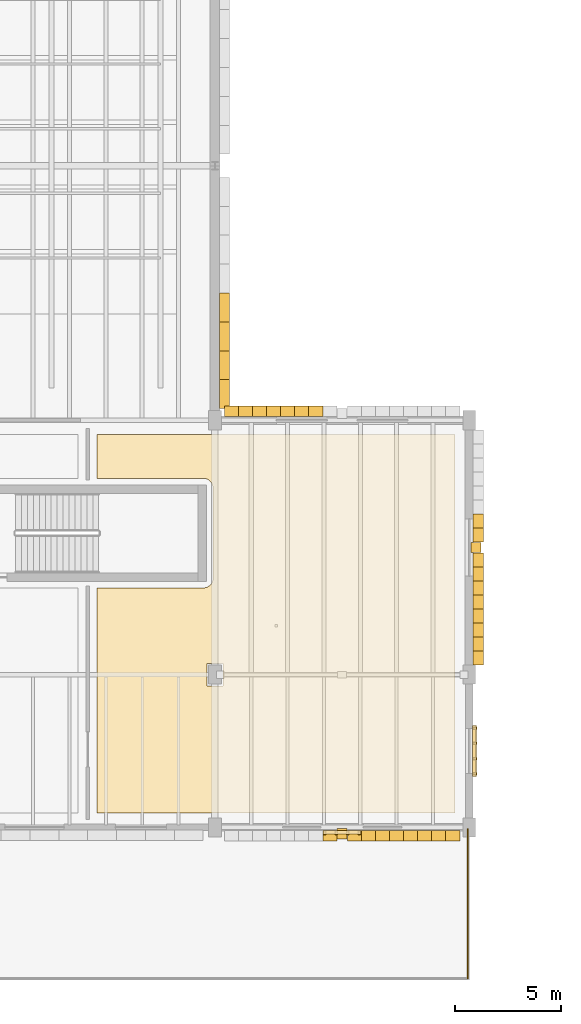
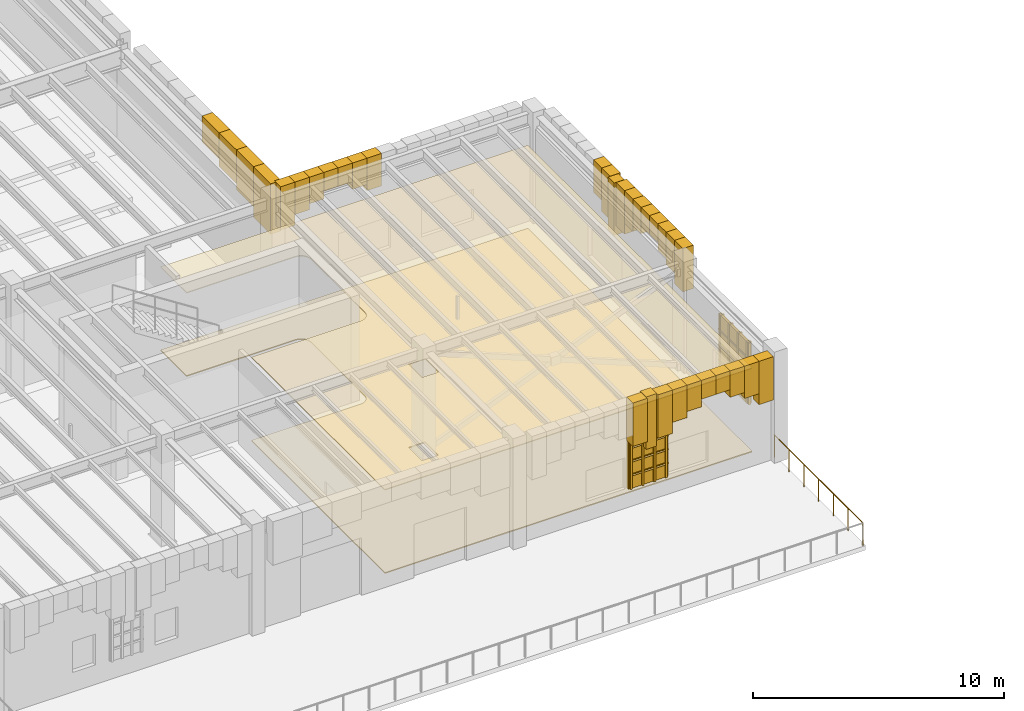
# One storey, part 72 of 103: 48 coverings, 2 shading devices, 1 railing.
"""IFC4 building model written with IfcOpenShell, lengths in metres."""

from ifc_helpers import new_model, si_unit, direction, frame, origin, origin_2d, place, context, subcontext, project, spatial, polyline, rectangle, circle, outline, extrude, material, layer, layer_set, type_object, element, save


model = new_model("IFC4")

# Units and contexts
model_context = context("Model", 3, precision=1e-05, world=origin(), true_north=direction((0.0, 1.0)))
body_context = subcontext(model_context, "Body", "Model", "MODEL_VIEW")
ifc_project = project(units=[si_unit("LENGTHUNIT", "METRE"), si_unit("AREAUNIT", "SQUARE_METRE"), si_unit("VOLUMEUNIT", "CUBIC_METRE"), si_unit("PLANEANGLEUNIT", "RADIAN"), si_unit("MASSUNIT", "GRAM", prefix="KILO")], contexts=[model_context])

# Site, building, storey
site_placement = place(None, origin())
site = spatial("IfcSite", under=ifc_project, at=site_placement, CompositionType="ELEMENT")
building_placement = place(site_placement, origin())
building = spatial("IfcBuilding", under=site, at=building_placement, Name="Zlatogorsky Bluff Art Gallery", CompositionType="ELEMENT")
storey_placement = place(building_placement, origin())
storey = spatial("IfcBuildingStorey", under=building, at=storey_placement, Name="L00", CompositionType="ELEMENT", Elevation=0.0)

# Coverings
ifc_material_1 = material(Name="Perforated Gypsum Acoustic Board", Category="gypsum")
ifc_layer_1 = layer(ifc_material_1, 0.0400390625)
ifc_layer_set_1 = layer_set([ifc_layer_1], Name="Acoustic Gallery Ceiling CLG-01")
covering_type_1 = type_object("IfcCoveringType", Name="Acoustic Gallery Ceiling CLG-01", PredefinedType="CEILING", material=ifc_layer_set_1)
covering_1_placement = place(storey_placement, frame((0.0, 0.0, 4.050048828125)))
element("IfcCovering", 1, at=covering_1_placement, inside=storey, type_object=covering_type_1, Name="Learning Centre Studios acoustic ceiling", PredefinedType="CEILING", context=body_context, shape_type="SweptSolid", body=[
    extrude(outline(polyline([(35.330078125, 7.8701171875), (18.449951171875, 7.8701171875), (18.449951171875, 18.489990234375), (23.450927734375, 18.489990234375), (23.495361328125, 18.4921875), (23.539306640625, 18.498779296875), (23.540283203125, 18.498779296875), (23.549560546875, 18.5009765625), (23.550537109375, 18.501220703125), (23.59375, 18.512939453125), (23.6357421875, 18.529296875), (23.63671875, 18.529541015625), (23.637451171875, 18.530029296875), (23.673095703125, 18.5478515625), (23.674072265625, 18.54833984375), (23.706298828125, 18.568115234375), (23.73681640625, 18.59033203125), (23.73828125, 18.591552734375), (23.775390625, 18.624755859375), (23.80859375, 18.661865234375), (23.809814453125, 18.663330078125), (23.83203125, 18.693603515625), (23.851806640625, 18.725830078125), (23.852294921875, 18.726806640625), (23.8701171875, 18.762451171875), (23.870849609375, 18.764404296875), (23.886962890625, 18.80615234375), (23.89892578125, 18.849609375), (23.899169921875, 18.850341796875), (23.901123046875, 18.859619140625), (23.9013671875, 18.860595703125), (23.90771484375, 18.90478515625), (23.909912109375, 18.948974609375), (23.909912109375, 23.200927734375), (23.90771484375, 23.245361328125), (23.9013671875, 23.289306640625), (23.901123046875, 23.290283203125), (23.899169921875, 23.299560546875), (23.89892578125, 23.300537109375), (23.886962890625, 23.34375), (23.870849609375, 23.3857421875), (23.870361328125, 23.38671875), (23.8701171875, 23.387451171875), (23.852294921875, 23.423095703125), (23.851806640625, 23.424072265625), (23.83203125, 23.456298828125), (23.809814453125, 23.48681640625), (23.80859375, 23.48828125), (23.775390625, 23.525390625), (23.73828125, 23.55859375), (23.73681640625, 23.559814453125), (23.706298828125, 23.58203125), (23.674072265625, 23.601806640625), (23.673095703125, 23.602294921875), (23.637451171875, 23.6201171875), (23.63671875, 23.620361328125), (23.6357421875, 23.620849609375), (23.59375, 23.636962890625), (23.550537109375, 23.64892578125), (23.549560546875, 23.649169921875), (23.540283203125, 23.651123046875), (23.539306640625, 23.6513671875), (23.495361328125, 23.65771484375), (23.450927734375, 23.659912109375), (18.449951171875, 23.659912109375), (18.449951171875, 25.72998046875), (35.330078125, 25.72998046875), (35.330078125, 7.8701171875)]), holes=[polyline([(23.6201171875, 13.8701171875), (24.3798828125, 13.8701171875), (24.3798828125, 14.929931640625), (23.6201171875, 14.929931640625), (23.6201171875, 13.8701171875)])]), origin(), (0.0, 0.0, 1.0), 0.0400390625),
])
ifc_material_2 = material(Name="Honed Red Agra-Tone Quartzitic Sandstone", Category="masonry")
ifc_layer_2 = layer(ifc_material_2, 0.1201171875)
ifc_layer_set_2 = layer_set([ifc_layer_2], Name="Carved Sandstone Cladding CLD-02")
covering_type_2 = type_object("IfcCoveringType", Name="Carved Sandstone Cladding CLD-02", PredefinedType="CLADDING", material=ifc_layer_set_2)
covering_2_placement = place(storey_placement, frame((0.0, 0.0, 2.90234375)))
element("IfcCovering", 2, at=covering_2_placement, inside=storey, type_object=covering_type_2, Name="Pointed Mughal arch voussoir spandrel WARCH-L00-E-01-03-A.1", PredefinedType="CLADDING", context=body_context, shape_type="SweptSolid", body=[
    extrude(outline(polyline([(24.2099609375, 26.949951171875), (24.2099609375, 28.3125), (24.699951171875, 28.3125), (24.699951171875, 26.949951171875), (24.2099609375, 26.949951171875)])), origin(), (0.0, 0.0, 1.0), 2.457763671875),
])
covering_3_placement = place(storey_placement, frame((0.0, 0.0, 3.433837890625)))
element("IfcCovering", 3, at=covering_3_placement, inside=storey, type_object=covering_type_2, Name="Pointed Mughal arch voussoir spandrel WARCH-L00-E-01-03-A.2", PredefinedType="CLADDING", context=body_context, shape_type="SweptSolid", body=[
    extrude(outline(polyline([(24.2099609375, 28.3125), (24.2099609375, 29.675048828125), (24.699951171875, 29.675048828125), (24.699951171875, 28.3125), (24.2099609375, 28.3125)])), origin(), (0.0, 0.0, 1.0), 1.92626953125),
])
covering_4_placement = place(storey_placement, frame((0.0, 0.0, 3.726806640625)))
element("IfcCovering", 4, at=covering_4_placement, inside=storey, type_object=covering_type_2, Name="Pointed Mughal arch voussoir spandrel WARCH-L00-E-01-03-A.3", PredefinedType="CLADDING", context=body_context, shape_type="SweptSolid", body=[
    extrude(outline(polyline([(24.2099609375, 29.675048828125), (24.2099609375, 31.03759765625), (24.699951171875, 31.03759765625), (24.699951171875, 29.675048828125), (24.2099609375, 29.675048828125)])), origin(), (0.0, 0.0, 1.0), 1.63330078125),
])
covering_5_placement = place(storey_placement, frame((0.0, 0.0, 4.095458984375)))
element("IfcCovering", 5, at=covering_5_placement, inside=storey, type_object=covering_type_2, Name="Pointed Mughal arch voussoir spandrel WARCH-L00-E-01-03-A.4", PredefinedType="CLADDING", context=body_context, shape_type="SweptSolid", body=[
    extrude(outline(polyline([(24.2099609375, 31.03759765625), (24.2099609375, 32.39990234375), (24.699951171875, 32.39990234375), (24.699951171875, 31.03759765625), (24.2099609375, 31.03759765625)])), origin(), (0.0, 0.0, 1.0), 1.2646484375),
])
covering_6_placement = place(storey_placement, frame((0.0, 0.0, 2.81005859375)))
element("IfcCovering", 6, at=covering_6_placement, inside=storey, type_object=covering_type_2, Name="Mughal blind-arch sandstone pilaster L00.S.2.1", PredefinedType="CLADDING", context=body_context, shape_type="SweptSolid", body=[
    extrude(outline(polyline([(29.760009765625, 6.659912109375), (30.239990234375, 6.659912109375), (30.239990234375, 7.139892578125), (29.760009765625, 7.139892578125), (29.760009765625, 6.659912109375)])), origin(), (0.0, 0.0, 1.0), 2.550048828125),
])
covering_7_placement = place(storey_placement, frame((0.0, 0.0, 3.25244140625)))
element("IfcCovering", 7, at=covering_7_placement, inside=storey, type_object=covering_type_2, Name="Pointed Mughal arch voussoir spandrel WARCH-L00-S-02-01-A.8", PredefinedType="CLADDING", context=body_context, shape_type="SweptSolid", body=[
    extrude(outline(polyline([(29.08740234375, 6.56005859375), (29.75, 6.56005859375), (29.75, 7.050048828125), (29.08740234375, 7.050048828125), (29.08740234375, 6.56005859375)])), origin(), (0.0, 0.0, 1.0), 2.107666015625),
])
covering_8_placement = place(storey_placement, frame((0.0, 0.0, 3.25244140625)))
element("IfcCovering", 8, at=covering_8_placement, inside=storey, type_object=covering_type_2, Name="Pointed Mughal arch voussoir spandrel WARCH-L00-S-02-01-B.1", PredefinedType="CLADDING", context=body_context, shape_type="SweptSolid", body=[
    extrude(outline(polyline([(30.25, 6.56005859375), (30.91259765625, 6.56005859375), (30.91259765625, 7.050048828125), (30.25, 7.050048828125), (30.25, 6.56005859375)])), origin(), (0.0, 0.0, 1.0), 2.107666015625),
])
covering_9_placement = place(storey_placement, frame((0.0, 0.0, 3.78369140625)))
element("IfcCovering", 9, at=covering_9_placement, inside=storey, type_object=covering_type_2, Name="Pointed Mughal arch voussoir spandrel WARCH-L00-S-02-01-B.2", PredefinedType="CLADDING", context=body_context, shape_type="SweptSolid", body=[
    extrude(outline(polyline([(30.91259765625, 6.56005859375), (31.574951171875, 6.56005859375), (31.574951171875, 7.050048828125), (30.91259765625, 7.050048828125), (30.91259765625, 6.56005859375)])), origin(), (0.0, 0.0, 1.0), 1.576416015625),
])
covering_10_placement = place(storey_placement, frame((0.0, 0.0, 4.07666015625)))
element("IfcCovering", 10, at=covering_10_placement, inside=storey, type_object=covering_type_2, Name="Pointed Mughal arch voussoir spandrel WARCH-L00-S-02-01-B.3", PredefinedType="CLADDING", context=body_context, shape_type="SweptSolid", body=[
    extrude(outline(polyline([(31.574951171875, 6.56005859375), (32.237548828125, 6.56005859375), (32.237548828125, 7.050048828125), (31.574951171875, 7.050048828125), (31.574951171875, 6.56005859375)])), origin(), (0.0, 0.0, 1.0), 1.283447265625),
])
covering_11_placement = place(storey_placement, frame((0.0, 0.0, 4.4453125)))
element("IfcCovering", 11, at=covering_11_placement, inside=storey, type_object=covering_type_2, Name="Pointed Mughal arch voussoir spandrel WARCH-L00-S-02-01-B.4", PredefinedType="CLADDING", context=body_context, shape_type="SweptSolid", body=[
    extrude(outline(polyline([(32.237548828125, 6.56005859375), (32.89990234375, 6.56005859375), (32.89990234375, 7.050048828125), (32.237548828125, 7.050048828125), (32.237548828125, 6.56005859375)])), origin(), (0.0, 0.0, 1.0), 0.914794921875),
])
covering_12_placement = place(storey_placement, frame((0.0, 0.0, 4.4453125)))
element("IfcCovering", 12, at=covering_12_placement, inside=storey, type_object=covering_type_2, Name="Pointed Mughal arch voussoir spandrel WARCH-L00-S-02-01-B.5", PredefinedType="CLADDING", context=body_context, shape_type="SweptSolid", body=[
    extrude(outline(polyline([(32.89990234375, 6.56005859375), (33.5625, 6.56005859375), (33.5625, 7.050048828125), (32.89990234375, 7.050048828125), (32.89990234375, 6.56005859375)])), origin(), (0.0, 0.0, 1.0), 0.914794921875),
])
covering_13_placement = place(storey_placement, frame((0.0, 0.0, 4.07666015625)))
element("IfcCovering", 13, at=covering_13_placement, inside=storey, type_object=covering_type_2, Name="Pointed Mughal arch voussoir spandrel WARCH-L00-S-02-01-B.6", PredefinedType="CLADDING", context=body_context, shape_type="SweptSolid", body=[
    extrude(outline(polyline([(33.5625, 6.56005859375), (34.22509765625, 6.56005859375), (34.22509765625, 7.050048828125), (33.5625, 7.050048828125), (33.5625, 6.56005859375)])), origin(), (0.0, 0.0, 1.0), 1.283447265625),
])
covering_14_placement = place(storey_placement, frame((0.0, 0.0, 3.78369140625)))
element("IfcCovering", 14, at=covering_14_placement, inside=storey, type_object=covering_type_2, Name="Pointed Mughal arch voussoir spandrel WARCH-L00-S-02-01-B.7", PredefinedType="CLADDING", context=body_context, shape_type="SweptSolid", body=[
    extrude(outline(polyline([(34.22509765625, 6.56005859375), (34.887451171875, 6.56005859375), (34.887451171875, 7.050048828125), (34.22509765625, 7.050048828125), (34.22509765625, 6.56005859375)])), origin(), (0.0, 0.0, 1.0), 1.576416015625),
])
covering_15_placement = place(storey_placement, frame((0.0, 0.0, 3.25244140625)))
element("IfcCovering", 15, at=covering_15_placement, inside=storey, type_object=covering_type_2, Name="Pointed Mughal arch voussoir spandrel WARCH-L00-S-02-01-B.8", PredefinedType="CLADDING", context=body_context, shape_type="SweptSolid", body=[
    extrude(outline(polyline([(34.887451171875, 6.56005859375), (35.550048828125, 6.56005859375), (35.550048828125, 7.050048828125), (34.887451171875, 7.050048828125), (34.887451171875, 6.56005859375)])), origin(), (0.0, 0.0, 1.0), 2.107666015625),
])
covering_16_placement = place(storey_placement, frame((0.0, 0.0, 0.949951171875)))
element("IfcCovering", 16, at=covering_16_placement, inside=storey, type_object=covering_type_2, Name="Pierced sandstone jali lattice bar L00.S.2.1", PredefinedType="CLADDING", context=body_context, shape_type="SweptSolid", body=[
    extrude(outline(polyline([(29.14501953125, 6.860107421875), (29.235107421875, 6.860107421875), (29.235107421875, 7.050048828125), (29.14501953125, 7.050048828125), (29.14501953125, 6.860107421875)])), origin(), (0.0, 0.0, 1.0), 2.699951171875),
])
covering_17_placement = place(storey_placement, frame((0.0, 0.0, 0.949951171875)))
element("IfcCovering", 17, at=covering_17_placement, inside=storey, type_object=covering_type_2, Name="Pierced sandstone jali lattice bar L00.S.2.1", PredefinedType="CLADDING", context=body_context, shape_type="SweptSolid", body=[
    extrude(outline(polyline([(29.68505859375, 6.860107421875), (29.77490234375, 6.860107421875), (29.77490234375, 7.050048828125), (29.68505859375, 7.050048828125), (29.68505859375, 6.860107421875)])), origin(), (0.0, 0.0, 1.0), 2.699951171875),
])
covering_18_placement = place(storey_placement, frame((0.0, 0.0, 0.949951171875)))
element("IfcCovering", 18, at=covering_18_placement, inside=storey, type_object=covering_type_2, Name="Pierced sandstone jali lattice bar L00.S.2.1", PredefinedType="CLADDING", context=body_context, shape_type="SweptSolid", body=[
    extrude(outline(polyline([(30.22509765625, 6.860107421875), (30.31494140625, 6.860107421875), (30.31494140625, 7.050048828125), (30.22509765625, 7.050048828125), (30.22509765625, 6.860107421875)])), origin(), (0.0, 0.0, 1.0), 2.699951171875),
])
covering_19_placement = place(storey_placement, frame((0.0, 0.0, 0.949951171875)))
element("IfcCovering", 19, at=covering_19_placement, inside=storey, type_object=covering_type_2, Name="Pierced sandstone jali lattice bar L00.S.2.1", PredefinedType="CLADDING", context=body_context, shape_type="SweptSolid", body=[
    extrude(outline(polyline([(30.764892578125, 6.860107421875), (30.85498046875, 6.860107421875), (30.85498046875, 7.050048828125), (30.764892578125, 7.050048828125), (30.764892578125, 6.860107421875)])), origin(), (0.0, 0.0, 1.0), 2.699951171875),
])
for number, where, name in (
    (20, (0.0, 0.0, 1.5849609375), "Pierced sandstone jali lattice transom L00.S.2.1"),
    (21, (0.0, 0.0, 2.260009765625), "Pierced sandstone jali lattice transom L00.S.2.1"),
):
    element("IfcCovering", number, at=place(storey_placement, frame(where)), inside=storey, type_object=covering_type_2, Name=name, PredefinedType="CLADDING", context=body_context, shape_type="SweptSolid", body=[
        extrude(outline(polyline([(29.10009765625, 6.860107421875), (30.89990234375, 6.860107421875), (30.89990234375, 7.050048828125), (29.10009765625, 7.050048828125), (29.10009765625, 6.860107421875)])), origin(), (0.0, 0.0, 1.0), 0.080078125),
    ])
covering_20_placement = place(storey_placement, frame((0.0, 0.0, 2.93505859375)))
element("IfcCovering", 22, at=covering_20_placement, inside=storey, type_object=covering_type_2, Name="Pierced sandstone jali lattice transom L00.S.2.1", PredefinedType="CLADDING", context=body_context, shape_type="SweptSolid", body=[
    extrude(outline(polyline([(29.10009765625, 6.860107421875), (30.89990234375, 6.860107421875), (30.89990234375, 7.050048828125), (29.10009765625, 7.050048828125), (29.10009765625, 6.860107421875)])), origin(), (0.0, 0.0, 1.0), 0.079833984375),
])
covering_21_placement = place(storey_placement, frame((0.0, 0.0, 0.949951171875)))
element("IfcCovering", 23, at=covering_21_placement, inside=storey, type_object=covering_type_2, Name="Pierced sandstone jali lattice bar L00.E.2.1", PredefinedType="CLADDING", context=body_context, shape_type="SweptSolid", body=[
    extrude(outline(polyline([(36.14990234375, 9.675048828125), (36.14990234375, 9.764892578125), (36.340087890625, 9.764892578125), (36.340087890625, 9.675048828125), (36.14990234375, 9.675048828125)])), origin(), (0.0, 0.0, 1.0), 3.0),
])
covering_22_placement = place(storey_placement, frame((0.0, 0.0, 0.949951171875)))
element("IfcCovering", 24, at=covering_22_placement, inside=storey, type_object=covering_type_2, Name="Pierced sandstone jali lattice bar L00.E.2.1", PredefinedType="CLADDING", context=body_context, shape_type="SweptSolid", body=[
    extrude(outline(polyline([(36.14990234375, 10.39501953125), (36.14990234375, 10.485107421875), (36.340087890625, 10.485107421875), (36.340087890625, 10.39501953125), (36.14990234375, 10.39501953125)])), origin(), (0.0, 0.0, 1.0), 3.0),
])
covering_23_placement = place(storey_placement, frame((0.0, 0.0, 0.949951171875)))
element("IfcCovering", 25, at=covering_23_placement, inside=storey, type_object=covering_type_2, Name="Pierced sandstone jali lattice bar L00.E.2.1", PredefinedType="CLADDING", context=body_context, shape_type="SweptSolid", body=[
    extrude(outline(polyline([(36.14990234375, 11.114990234375), (36.14990234375, 11.205078125), (36.340087890625, 11.205078125), (36.340087890625, 11.114990234375), (36.14990234375, 11.114990234375)])), origin(), (0.0, 0.0, 1.0), 3.0),
])
covering_24_placement = place(storey_placement, frame((0.0, 0.0, 0.949951171875)))
element("IfcCovering", 26, at=covering_24_placement, inside=storey, type_object=covering_type_2, Name="Pierced sandstone jali lattice bar L00.E.2.1", PredefinedType="CLADDING", context=body_context, shape_type="SweptSolid", body=[
    extrude(outline(polyline([(36.14990234375, 11.8349609375), (36.14990234375, 11.925048828125), (36.340087890625, 11.925048828125), (36.340087890625, 11.8349609375), (36.14990234375, 11.8349609375)])), origin(), (0.0, 0.0, 1.0), 3.0),
])
for number, where, name in (
    (27, (0.0, 0.0, 1.659912109375), "Pierced sandstone jali lattice transom L00.E.2.1"),
    (28, (0.0, 0.0, 2.409912109375), "Pierced sandstone jali lattice transom L00.E.2.1"),
    (29, (0.0, 0.0, 3.159912109375), "Pierced sandstone jali lattice transom L00.E.2.1"),
):
    element("IfcCovering", number, at=place(storey_placement, frame(where)), inside=storey, type_object=covering_type_2, Name=name, PredefinedType="CLADDING", context=body_context, shape_type="SweptSolid", body=[
        extrude(outline(polyline([(36.14990234375, 9.60009765625), (36.14990234375, 12.0), (36.340087890625, 12.0), (36.340087890625, 9.60009765625), (36.14990234375, 9.60009765625)])), origin(), (0.0, 0.0, 1.0), 0.080078125),
    ])
covering_25_placement = place(storey_placement, frame((0.0, 0.0, 3.25244140625)))
element("IfcCovering", 30, at=covering_25_placement, inside=storey, type_object=covering_type_2, Name="Pointed Mughal arch voussoir spandrel WARCH-L00-N-02-02-A.1", PredefinedType="CLADDING", context=body_context, shape_type="SweptSolid", body=[
    extrude(outline(polyline([(24.449951171875, 26.570068359375), (25.112548828125, 26.570068359375), (25.112548828125, 27.06005859375), (24.449951171875, 27.06005859375), (24.449951171875, 26.570068359375)])), origin(), (0.0, 0.0, 1.0), 2.107666015625),
])
covering_26_placement = place(storey_placement, frame((0.0, 0.0, 3.78369140625)))
element("IfcCovering", 31, at=covering_26_placement, inside=storey, type_object=covering_type_2, Name="Pointed Mughal arch voussoir spandrel WARCH-L00-N-02-02-A.2", PredefinedType="CLADDING", context=body_context, shape_type="SweptSolid", body=[
    extrude(outline(polyline([(25.112548828125, 26.570068359375), (25.77490234375, 26.570068359375), (25.77490234375, 27.06005859375), (25.112548828125, 27.06005859375), (25.112548828125, 26.570068359375)])), origin(), (0.0, 0.0, 1.0), 1.576416015625),
])
covering_27_placement = place(storey_placement, frame((0.0, 0.0, 4.07666015625)))
element("IfcCovering", 32, at=covering_27_placement, inside=storey, type_object=covering_type_2, Name="Pointed Mughal arch voussoir spandrel WARCH-L00-N-02-02-A.3", PredefinedType="CLADDING", context=body_context, shape_type="SweptSolid", body=[
    extrude(outline(polyline([(25.77490234375, 26.570068359375), (26.4375, 26.570068359375), (26.4375, 27.06005859375), (25.77490234375, 27.06005859375), (25.77490234375, 26.570068359375)])), origin(), (0.0, 0.0, 1.0), 1.283447265625),
])
covering_28_placement = place(storey_placement, frame((0.0, 0.0, 4.4453125)))
element("IfcCovering", 33, at=covering_28_placement, inside=storey, type_object=covering_type_2, Name="Pointed Mughal arch voussoir spandrel WARCH-L00-N-02-02-A.4", PredefinedType="CLADDING", context=body_context, shape_type="SweptSolid", body=[
    extrude(outline(polyline([(26.4375, 26.570068359375), (27.10009765625, 26.570068359375), (27.10009765625, 27.06005859375), (26.4375, 27.06005859375), (26.4375, 26.570068359375)])), origin(), (0.0, 0.0, 1.0), 0.914794921875),
])
covering_29_placement = place(storey_placement, frame((0.0, 0.0, 4.4453125)))
element("IfcCovering", 34, at=covering_29_placement, inside=storey, type_object=covering_type_2, Name="Pointed Mughal arch voussoir spandrel WARCH-L00-N-02-02-A.5", PredefinedType="CLADDING", context=body_context, shape_type="SweptSolid", body=[
    extrude(outline(polyline([(27.10009765625, 26.570068359375), (27.762451171875, 26.570068359375), (27.762451171875, 27.06005859375), (27.10009765625, 27.06005859375), (27.10009765625, 26.570068359375)])), origin(), (0.0, 0.0, 1.0), 0.914794921875),
])
covering_30_placement = place(storey_placement, frame((0.0, 0.0, 4.07666015625)))
element("IfcCovering", 35, at=covering_30_placement, inside=storey, type_object=covering_type_2, Name="Pointed Mughal arch voussoir spandrel WARCH-L00-N-02-02-A.6", PredefinedType="CLADDING", context=body_context, shape_type="SweptSolid", body=[
    extrude(outline(polyline([(27.762451171875, 26.570068359375), (28.425048828125, 26.570068359375), (28.425048828125, 27.06005859375), (27.762451171875, 27.06005859375), (27.762451171875, 26.570068359375)])), origin(), (0.0, 0.0, 1.0), 1.283447265625),
])
covering_31_placement = place(storey_placement, frame((0.0, 0.0, 3.78369140625)))
element("IfcCovering", 36, at=covering_31_placement, inside=storey, type_object=covering_type_2, Name="Pointed Mughal arch voussoir spandrel WARCH-L00-N-02-02-A.7", PredefinedType="CLADDING", context=body_context, shape_type="SweptSolid", body=[
    extrude(outline(polyline([(28.425048828125, 26.570068359375), (29.08740234375, 26.570068359375), (29.08740234375, 27.06005859375), (28.425048828125, 27.06005859375), (28.425048828125, 26.570068359375)])), origin(), (0.0, 0.0, 1.0), 1.576416015625),
])
covering_32_placement = place(storey_placement, frame((0.0, 0.0, 2.81005859375)))
element("IfcCovering", 37, at=covering_32_placement, inside=storey, type_object=covering_type_2, Name="Mughal blind-arch sandstone pilaster L00.E.2.2", PredefinedType="CLADDING", context=body_context, shape_type="SweptSolid", body=[
    extrude(outline(polyline([(36.080078125, 20.159912109375), (36.56005859375, 20.159912109375), (36.56005859375, 20.639892578125), (36.080078125, 20.639892578125), (36.080078125, 20.159912109375)])), origin(), (0.0, 0.0, 1.0), 2.550048828125),
])
covering_33_placement = place(storey_placement, frame((0.0, 0.0, 3.25244140625)))
element("IfcCovering", 38, at=covering_33_placement, inside=storey, type_object=covering_type_2, Name="Pointed Mughal arch voussoir spandrel WARCH-L00-E-02-02-A.1", PredefinedType="CLADDING", context=body_context, shape_type="SweptSolid", body=[
    extrude(outline(polyline([(36.169921875, 14.85009765625), (36.169921875, 15.512451171875), (36.659912109375, 15.512451171875), (36.659912109375, 14.85009765625), (36.169921875, 14.85009765625)])), origin(), (0.0, 0.0, 1.0), 2.107666015625),
])
covering_34_placement = place(storey_placement, frame((0.0, 0.0, 3.78369140625)))
element("IfcCovering", 39, at=covering_34_placement, inside=storey, type_object=covering_type_2, Name="Pointed Mughal arch voussoir spandrel WARCH-L00-E-02-02-A.2", PredefinedType="CLADDING", context=body_context, shape_type="SweptSolid", body=[
    extrude(outline(polyline([(36.169921875, 15.512451171875), (36.169921875, 16.175048828125), (36.659912109375, 16.175048828125), (36.659912109375, 15.512451171875), (36.169921875, 15.512451171875)])), origin(), (0.0, 0.0, 1.0), 1.576416015625),
])
covering_35_placement = place(storey_placement, frame((0.0, 0.0, 4.07666015625)))
element("IfcCovering", 40, at=covering_35_placement, inside=storey, type_object=covering_type_2, Name="Pointed Mughal arch voussoir spandrel WARCH-L00-E-02-02-A.3", PredefinedType="CLADDING", context=body_context, shape_type="SweptSolid", body=[
    extrude(outline(polyline([(36.169921875, 16.175048828125), (36.169921875, 16.83740234375), (36.659912109375, 16.83740234375), (36.659912109375, 16.175048828125), (36.169921875, 16.175048828125)])), origin(), (0.0, 0.0, 1.0), 1.283447265625),
])
covering_36_placement = place(storey_placement, frame((0.0, 0.0, 4.4453125)))
element("IfcCovering", 41, at=covering_36_placement, inside=storey, type_object=covering_type_2, Name="Pointed Mughal arch voussoir spandrel WARCH-L00-E-02-02-A.4", PredefinedType="CLADDING", context=body_context, shape_type="SweptSolid", body=[
    extrude(outline(polyline([(36.169921875, 16.83740234375), (36.169921875, 17.5), (36.659912109375, 17.5), (36.659912109375, 16.83740234375), (36.169921875, 16.83740234375)])), origin(), (0.0, 0.0, 1.0), 0.914794921875),
])
covering_37_placement = place(storey_placement, frame((0.0, 0.0, 4.4453125)))
element("IfcCovering", 42, at=covering_37_placement, inside=storey, type_object=covering_type_2, Name="Pointed Mughal arch voussoir spandrel WARCH-L00-E-02-02-A.5", PredefinedType="CLADDING", context=body_context, shape_type="SweptSolid", body=[
    extrude(outline(polyline([(36.169921875, 17.5), (36.169921875, 18.16259765625), (36.659912109375, 18.16259765625), (36.659912109375, 17.5), (36.169921875, 17.5)])), origin(), (0.0, 0.0, 1.0), 0.914794921875),
])
covering_38_placement = place(storey_placement, frame((0.0, 0.0, 4.07666015625)))
element("IfcCovering", 43, at=covering_38_placement, inside=storey, type_object=covering_type_2, Name="Pointed Mughal arch voussoir spandrel WARCH-L00-E-02-02-A.6", PredefinedType="CLADDING", context=body_context, shape_type="SweptSolid", body=[
    extrude(outline(polyline([(36.169921875, 18.16259765625), (36.169921875, 18.824951171875), (36.659912109375, 18.824951171875), (36.659912109375, 18.16259765625), (36.169921875, 18.16259765625)])), origin(), (0.0, 0.0, 1.0), 1.283447265625),
])
covering_39_placement = place(storey_placement, frame((0.0, 0.0, 3.78369140625)))
element("IfcCovering", 44, at=covering_39_placement, inside=storey, type_object=covering_type_2, Name="Pointed Mughal arch voussoir spandrel WARCH-L00-E-02-02-A.7", PredefinedType="CLADDING", context=body_context, shape_type="SweptSolid", body=[
    extrude(outline(polyline([(36.169921875, 18.824951171875), (36.169921875, 19.487548828125), (36.659912109375, 19.487548828125), (36.659912109375, 18.824951171875), (36.169921875, 18.824951171875)])), origin(), (0.0, 0.0, 1.0), 1.576416015625),
])
covering_40_placement = place(storey_placement, frame((0.0, 0.0, 3.25244140625)))
element("IfcCovering", 45, at=covering_40_placement, inside=storey, type_object=covering_type_2, Name="Pointed Mughal arch voussoir spandrel WARCH-L00-E-02-02-A.8", PredefinedType="CLADDING", context=body_context, shape_type="SweptSolid", body=[
    extrude(outline(polyline([(36.169921875, 19.487548828125), (36.169921875, 20.14990234375), (36.659912109375, 20.14990234375), (36.659912109375, 19.487548828125), (36.169921875, 19.487548828125)])), origin(), (0.0, 0.0, 1.0), 2.107666015625),
])
covering_41_placement = place(storey_placement, frame((0.0, 0.0, 3.25244140625)))
element("IfcCovering", 46, at=covering_41_placement, inside=storey, type_object=covering_type_2, Name="Pointed Mughal arch voussoir spandrel WARCH-L00-E-02-02-B.1", PredefinedType="CLADDING", context=body_context, shape_type="SweptSolid", body=[
    extrude(outline(polyline([(36.169921875, 20.64990234375), (36.169921875, 21.3125), (36.659912109375, 21.3125), (36.659912109375, 20.64990234375), (36.169921875, 20.64990234375)])), origin(), (0.0, 0.0, 1.0), 2.107666015625),
])
covering_42_placement = place(storey_placement, frame((0.0, 0.0, 3.78369140625)))
element("IfcCovering", 47, at=covering_42_placement, inside=storey, type_object=covering_type_2, Name="Pointed Mughal arch voussoir spandrel WARCH-L00-E-02-02-B.2", PredefinedType="CLADDING", context=body_context, shape_type="SweptSolid", body=[
    extrude(outline(polyline([(36.169921875, 21.3125), (36.169921875, 21.97509765625), (36.659912109375, 21.97509765625), (36.659912109375, 21.3125), (36.169921875, 21.3125)])), origin(), (0.0, 0.0, 1.0), 1.576416015625),
])

# Railing
ifc_material_3 = material(Name="Architectural Bronze and Laminated Glass", Category="glass")
railing_type = type_object("IfcRailingType", Name="Gallery Guard Rail 1100mm", PredefinedType="GUARDRAIL", material=ifc_material_3)
railing_placement = place(storey_placement, frame((35.919921875, 7.1201171875, 0.0)))
element("IfcRailing", 48, at=railing_placement, inside=storey, type_object=railing_type, Name="Sculpture terrace balustrade TERR-L00-01.1", PredefinedType="GUARDRAIL", context=body_context, shape_type="SweptSolid", body=[
    extrude(circle(Radius=0.02392578125, at=origin_2d()), frame((0.0, 0.0, 1.076171875), z_axis=(0.0, -1.0, 0.0), x_axis=(1.0, 0.0, 0.0)), (0.0, 0.0, 1.0), 7.0400390625),
    extrude(circle(Radius=0.02099609375, at=origin_2d()), origin(), (0.0, 0.0, 1.0), 1.052001953125),
    extrude(circle(Radius=0.02099609375, at=origin_2d()), frame((0.0, -1.17333984375, 0.0)), (0.0, 0.0, 1.0), 1.052001953125),
    extrude(circle(Radius=0.02099609375, at=origin_2d()), frame((0.0, -2.3466796875, 0.0)), (0.0, 0.0, 1.0), 1.052001953125),
    extrude(circle(Radius=0.02099609375, at=origin_2d()), frame((0.0, -3.52001953125, 0.0)), (0.0, 0.0, 1.0), 1.052001953125),
    extrude(circle(Radius=0.02099609375, at=origin_2d()), frame((0.0, -4.693359375, 0.0)), (0.0, 0.0, 1.0), 1.052001953125),
    extrude(circle(Radius=0.02099609375, at=origin_2d()), frame((0.0, -5.86669921875, 0.0)), (0.0, 0.0, 1.0), 1.052001953125),
    extrude(circle(Radius=0.02099609375, at=origin_2d()), frame((0.0, -7.0400390625, 0.0)), (0.0, 0.0, 1.0), 1.052001953125),
])

# Shading devices
ifc_material_4 = material(Name="CNC-Pierced Red Quartzitic Sandstone Jali", Category="masonry")
shading_device_type_1 = type_object("IfcShadingDeviceType", Name="Pierced Stone Jali Screen JAL-02", PredefinedType="JALOUSIE", material=ifc_material_4)
shading_device_1_placement = place(storey_placement, frame((30.0, 6.97998046875, 0.9501953125), z_axis=(0.0, 0.0, 1.0), x_axis=(1.0, 0.0, 0.0)))
element("IfcShadingDevice", 49, at=shading_device_1_placement, inside=storey, type_object=shading_device_type_1, Name="Pierced stone jali screen JAL-02", PredefinedType="JALOUSIE", context=body_context, shape_type="SweptSolid", body=[
    extrude(rectangle(XDim=1.800048828125, YDim=0.1201171875, at=origin_2d()), origin(), (0.0, 0.0, 1.0), 2.699951171875),
])
shading_device_type_2 = type_object("IfcShadingDeviceType", Name="Pierced Stone Jali Screen JAL-03", PredefinedType="JALOUSIE", material=ifc_material_4)
shading_device_2_placement = place(storey_placement, frame((36.219970703125, 10.800048828125, 0.949951171875), z_axis=(0.0, 0.0, 1.0), x_axis=(1.0, 0.0, 0.0)))
element("IfcShadingDevice", 50, at=shading_device_2_placement, inside=storey, type_object=shading_device_type_2, Name="Pierced stone jali screen JAL-03", PredefinedType="JALOUSIE", context=body_context, shape_type="SweptSolid", body=[
    extrude(rectangle(XDim=0.1201171875, YDim=2.39990234375, at=origin_2d()), origin(), (0.0, 0.0, 1.0), 3.0),
])

# Covering
ifc_material_5 = material(Name="Polished Ural Marble Terrazzo", Category="masonry")
ifc_layer_3 = layer(ifc_material_5, 0.050048828125)
ifc_layer_set_3 = layer_set([ifc_layer_3], Name="Terrazzo Gallery Flooring FLR-01")
covering_type_3 = type_object("IfcCoveringType", Name="Terrazzo Gallery Flooring FLR-01", PredefinedType="FLOORING", material=ifc_layer_set_3)
covering_43_placement = place(storey_placement, origin())
element("IfcCovering", 51, at=covering_43_placement, inside=storey, type_object=covering_type_3, Name="Learning Centre Studios terrazzo floor finish", PredefinedType="FLOORING", context=body_context, shape_type="SweptSolid", body=[
    extrude(outline(polyline([(35.330078125, 7.8701171875), (18.449951171875, 7.8701171875), (18.449951171875, 18.489990234375), (23.450927734375, 18.489990234375), (23.495361328125, 18.4921875), (23.539306640625, 18.498779296875), (23.540283203125, 18.498779296875), (23.549560546875, 18.5009765625), (23.550537109375, 18.501220703125), (23.59375, 18.512939453125), (23.6357421875, 18.529296875), (23.63671875, 18.529541015625), (23.637451171875, 18.530029296875), (23.673095703125, 18.5478515625), (23.674072265625, 18.54833984375), (23.706298828125, 18.568115234375), (23.73681640625, 18.59033203125), (23.73828125, 18.591552734375), (23.775390625, 18.624755859375), (23.80859375, 18.661865234375), (23.809814453125, 18.663330078125), (23.83203125, 18.693603515625), (23.851806640625, 18.725830078125), (23.852294921875, 18.726806640625), (23.8701171875, 18.762451171875), (23.870849609375, 18.764404296875), (23.886962890625, 18.80615234375), (23.89892578125, 18.849609375), (23.899169921875, 18.850341796875), (23.901123046875, 18.859619140625), (23.9013671875, 18.860595703125), (23.90771484375, 18.90478515625), (23.909912109375, 18.948974609375), (23.909912109375, 23.200927734375), (23.90771484375, 23.245361328125), (23.9013671875, 23.289306640625), (23.901123046875, 23.290283203125), (23.899169921875, 23.299560546875), (23.89892578125, 23.300537109375), (23.886962890625, 23.34375), (23.870849609375, 23.3857421875), (23.870361328125, 23.38671875), (23.8701171875, 23.387451171875), (23.852294921875, 23.423095703125), (23.851806640625, 23.424072265625), (23.83203125, 23.456298828125), (23.809814453125, 23.48681640625), (23.80859375, 23.48828125), (23.775390625, 23.525390625), (23.73828125, 23.55859375), (23.73681640625, 23.559814453125), (23.706298828125, 23.58203125), (23.674072265625, 23.601806640625), (23.673095703125, 23.602294921875), (23.637451171875, 23.6201171875), (23.63671875, 23.620361328125), (23.6357421875, 23.620849609375), (23.59375, 23.636962890625), (23.550537109375, 23.64892578125), (23.549560546875, 23.649169921875), (23.540283203125, 23.651123046875), (23.539306640625, 23.6513671875), (23.495361328125, 23.65771484375), (23.450927734375, 23.659912109375), (18.449951171875, 23.659912109375), (18.449951171875, 25.72998046875), (35.330078125, 25.72998046875), (35.330078125, 7.8701171875)]), holes=[polyline([(23.6201171875, 13.8701171875), (24.3798828125, 13.8701171875), (24.3798828125, 14.929931640625), (23.6201171875, 14.929931640625), (23.6201171875, 13.8701171875)])]), origin(), (0.0, 0.0, 1.0), 0.050048828125),
])

save(model, "model.ifc")
